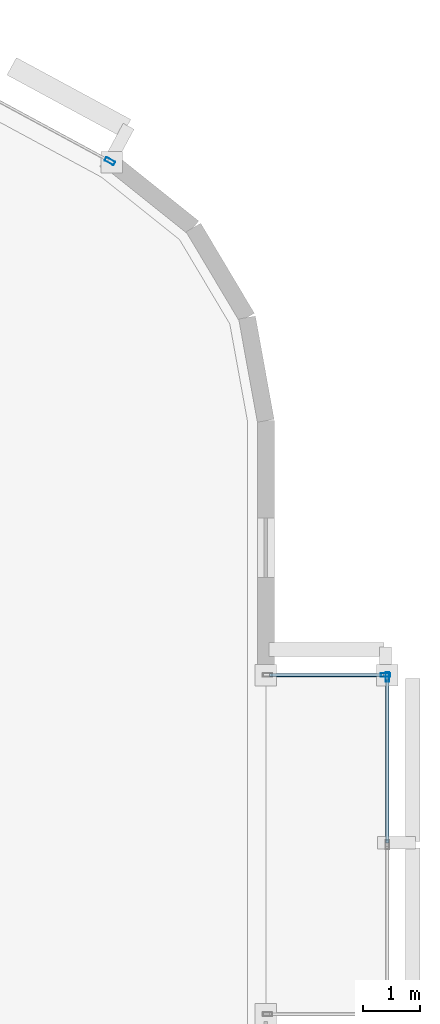
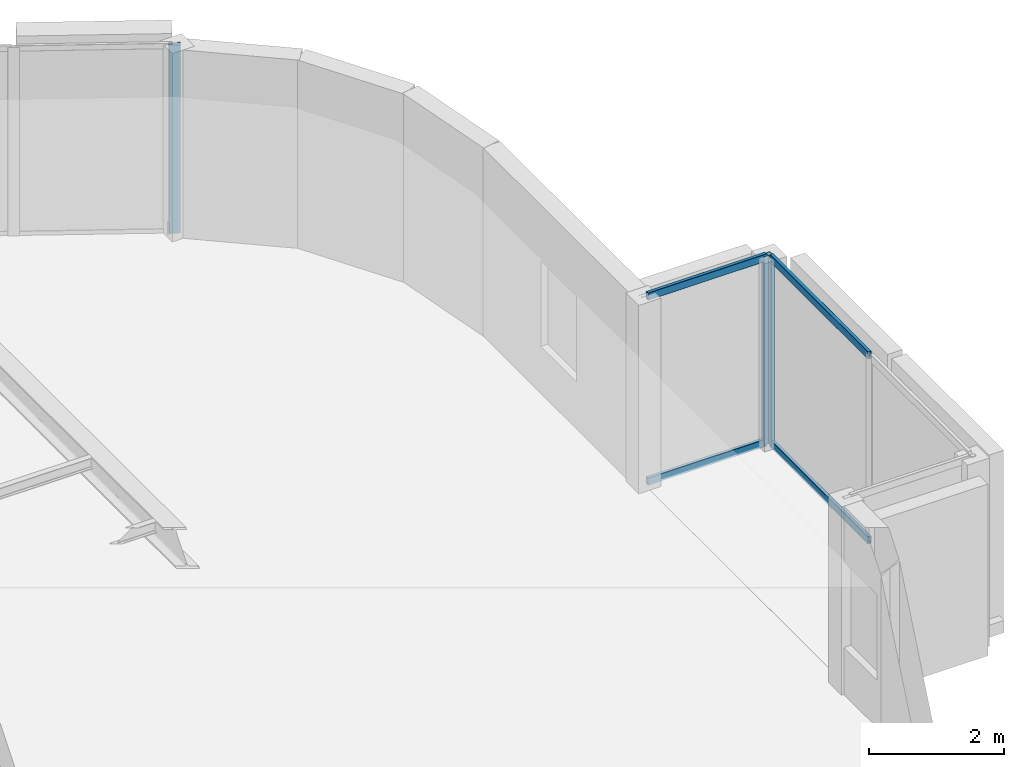
# One storey, part 7 of 14: 7 members, 3 elements without a shape of their own.
"""IFC4 building model written with IfcOpenShell, lengths in metres."""

import ifcopenshell
import ifcopenshell.guid

model = None  # the IFC model being written
_history = None  # IfcOwnerHistory: only IFC2X3 demands one
_inside = {}  # id of a spatial element -> (the spatial element, [elements in it])
_under = {}  # id of a project, library or spatial element -> (it, [spatial elements below it])
_declared = {}  # id of a project -> (the project, [libraries it declares])
_typed = {}  # id of a type object -> (the type object, [elements of that type])
_made_of = {}  # id of a material, layer set ... -> (it, [elements and type objects made of it])


def new_model(schema):
    """Start an empty IFC model of exactly this schema.

    Asked for "IFC4X3", IfcOpenShell would pick the latest addendum, in which some entities
    have other attributes; the version numbers below select the first issue.
    IFC2X3 requires an IfcOwnerHistory on every rooted entity: one is made here for all.
    """
    global model, _history
    if schema == "IFC4X3":
        model = ifcopenshell.file(schema_version=(4, 3, 0, 0))
    else:
        model = ifcopenshell.file(schema=schema)
    _inside.clear()
    _under.clear()
    _declared.clear()
    _typed.clear()
    _made_of.clear()
    _history = None
    if model.schema == "IFC2X3":
        org = make("IfcOrganization", Name="unknown")
        user = make(
            "IfcPersonAndOrganization",
            ThePerson=make("IfcPerson", FamilyName="unknown"),
            TheOrganization=org,
        )
        app = make(
            "IfcApplication",
            ApplicationDeveloper=org,
            Version="unknown",
            ApplicationFullName="unknown",
            ApplicationIdentifier="unknown",
        )
        _history = make(
            "IfcOwnerHistory",
            OwningUser=user,
            OwningApplication=app,
            ChangeAction="ADDED",
            CreationDate=0,
        )
    return model


def make(cls, **values):
    """One entity of the class cls with the attributes given. An attribute that is None is left unset."""
    return model.create_entity(
        cls, **{name: value for name, value in values.items() if value is not None}
    )


def rooted(cls, **values):
    """An entity with a GlobalId (a new one), such as an element, a storey or a relation."""
    return make(cls, GlobalId=ifcopenshell.guid.new(), OwnerHistory=_history, **values)


def si_unit(unit_type, name, prefix=None):
    """IfcSIUnit, for example si_unit("LENGTHUNIT", "METRE", prefix="MILLI")."""
    return make("IfcSIUnit", UnitType=unit_type, Prefix=prefix, Name=name)


def assignment(units):
    """IfcUnitAssignment: the units of a project."""
    return None if units is None else make("IfcUnitAssignment", Units=units)


def point(xyz):
    """IfcCartesianPoint."""
    return None if xyz is None else make("IfcCartesianPoint", Coordinates=xyz)


def direction(xyz):
    """IfcDirection."""
    return None if xyz is None else make("IfcDirection", DirectionRatios=xyz)


def frame(location, z_axis=None, x_axis=None):
    """IfcAxis2Placement3D, a coordinate frame: its origin and axes. An axis left out is left unset."""
    return make(
        "IfcAxis2Placement3D",
        Location=point(location),
        Axis=direction(z_axis),
        RefDirection=direction(x_axis),
    )


def frame_2d(location, x_axis=None):
    """IfcAxis2Placement2D, a coordinate frame in the plane: its origin and x axis."""
    return make(
        "IfcAxis2Placement2D", Location=point(location), RefDirection=direction(x_axis)
    )


def origin():
    """The frame at (0, 0, 0) with its axes left unset."""
    return frame((0.0, 0.0, 0.0))


def origin_2d():
    """The frame at (0, 0) in the plane with its x axis left unset."""
    return frame_2d((0.0, 0.0))


def place(relative_to, where):
    """IfcLocalPlacement: puts the frame where relative to a parent placement (None: the world)."""
    return make(
        "IfcLocalPlacement", PlacementRelTo=relative_to, RelativePlacement=where
    )


def context(
    kind, dimensions, precision=None, world=None, true_north=None, identifier=None
):
    """IfcGeometricRepresentationContext, for example the 3D "Model" context."""
    return make(
        "IfcGeometricRepresentationContext",
        ContextIdentifier=identifier,
        ContextType=kind,
        CoordinateSpaceDimension=dimensions,
        Precision=precision,
        WorldCoordinateSystem=world,
        TrueNorth=true_north,
    )


def subcontext(parent, identifier, kind, view, scale=None):
    """IfcGeometricRepresentationSubContext, for example "Body" below "Model"."""
    return make(
        "IfcGeometricRepresentationSubContext",
        ContextIdentifier=identifier,
        ContextType=kind,
        ParentContext=parent,
        TargetScale=scale,
        TargetView=view,
    )


def project(units=None, contexts=None):
    """IfcProject with its units and contexts."""
    return rooted(
        "IfcProject",
        Name="project",
        RepresentationContexts=contexts,
        UnitsInContext=assignment(units),
    )


def spatial(cls, under=None, at=None, **own):
    """A site, building, storey or space (cls), placed at a placement, below another one or the project."""
    s = rooted(cls, ObjectPlacement=at, **own)
    if under is not None:
        _under.setdefault(under.id(), (under, []))[1].append(s)
    return s


def profile(cls, at=None, kind="AREA", **sizes):
    """A parametric profile (cls). Its sizes go by their IFC names, for example OverallWidth=200.0."""
    return make(cls, ProfileType=kind, Position=at, **sizes)


def hollow_rectangle(**sizes):
    """IfcRectangleHollowProfileDef."""
    return profile("IfcRectangleHollowProfileDef", **sizes)


def extrude(swept, where, along, depth):
    """IfcExtrudedAreaSolid: the profile swept, set in the frame where, extruded along a direction by depth."""
    return make(
        "IfcExtrudedAreaSolid",
        SweptArea=swept,
        Position=where,
        ExtrudedDirection=direction(along),
        Depth=depth,
    )


def shape(context_of_items, identifier, shape_type, items):
    """IfcShapeRepresentation: the items that make up one representation, for example the "Body"."""
    return make(
        "IfcShapeRepresentation",
        ContextOfItems=context_of_items,
        RepresentationIdentifier=identifier,
        RepresentationType=shape_type,
        Items=items,
    )


def material(Name=None, Category=None):
    """IfcMaterial."""
    return make("IfcMaterial", Name=Name, Category=Category)


def layer(
    of_material, thickness, ventilated=None, Name=None, Category=None, Priority=None
):
    """IfcMaterialLayer: one layer of a wall or slab, of a material (None: an air gap)."""
    return make(
        "IfcMaterialLayer",
        Material=of_material,
        LayerThickness=thickness,
        IsVentilated=ventilated,
        Name=Name,
        Category=Category,
        Priority=Priority,
    )


def layer_set(layers, Name=None):
    """IfcMaterialLayerSet."""
    return make("IfcMaterialLayerSet", MaterialLayers=layers, LayerSetName=Name)


def material_profile(
    of_material, cross_section, Name=None, Category=None, Priority=None
):
    """IfcMaterialProfile: a cross section and its material."""
    return make(
        "IfcMaterialProfile",
        Name=Name,
        Material=of_material,
        Profile=cross_section,
        Priority=Priority,
        Category=Category,
    )


def profile_set(profiles, Name=None, composite=None):
    """IfcMaterialProfileSet."""
    return make(
        "IfcMaterialProfileSet",
        Name=Name,
        MaterialProfiles=profiles,
        CompositeProfile=composite,
    )


def made_of(thing, what):
    """Note that an element or type object is made of a material, layer set ...; save() writes the relation."""
    if what is not None:
        _made_of.setdefault(what.id(), (what, []))[1].append(thing)
    return thing


def type_object(cls, material=None, **own):
    """A type object (cls), such as IfcWallType, which elements share."""
    return made_of(rooted(cls, **own), material)


def element(
    cls,
    number,
    at=None,
    inside=None,
    cuts=None,
    type_object=None,
    material=None,
    context=None,
    identifier="Body",
    shape_type=None,
    held_by="IfcProductDefinitionShape",
    body=None,
    shapes=None,
    **own,
):
    """One element of the class cls, such as IfcWall. Its Tag is "e" and its number.

    at: its placement. inside: the storey or other place that contains it. cuts: it is an
    opening in that element (IfcRelVoidsElement). A single representation is given by context,
    identifier, shape_type and body (its items); several are given by shapes. held_by: the class
    of the entity that holds the representations. save() writes the other relations.
    """
    e = rooted(cls, Tag="e%d" % number, ObjectPlacement=at, **own)
    if body is not None:
        shapes = [shape(context, identifier, shape_type, body)]
    if shapes is not None:
        e.Representation = make(held_by, Representations=shapes)
    if inside is not None:
        _inside.setdefault(inside.id(), (inside, []))[1].append(e)
    if cuts is not None:
        rooted(
            "IfcRelVoidsElement", RelatingBuildingElement=cuts, RelatedOpeningElement=e
        )
    if type_object is not None:
        _typed.setdefault(type_object.id(), (type_object, []))[1].append(e)
    return made_of(e, material)


def aggregate(whole, parts):
    """IfcRelAggregates: a whole, such as a stair, and the parts it consists of."""
    return rooted("IfcRelAggregates", RelatingObject=whole, RelatedObjects=parts)


def save(model, path):
    """Write the relations noted so far, then the file.

    IfcRelAggregates (storeys below a building ...), IfcRelContainedInSpatialStructure (elements
    in a storey), IfcRelDefinesByType, IfcRelAssociatesMaterial and IfcRelDeclares: one each for
    every whole, place, type object, material and project.
    """
    for whole, parts in _under.values():
        aggregate(whole, parts)
    for where, things in _inside.values():
        rooted(
            "IfcRelContainedInSpatialStructure",
            RelatedElements=things,
            RelatingStructure=where,
        )
    for kind, things in _typed.values():
        rooted("IfcRelDefinesByType", RelatedObjects=things, RelatingType=kind)
    for what, things in _made_of.values():
        rooted("IfcRelAssociatesMaterial", RelatedObjects=things, RelatingMaterial=what)
    for by, libraries in _declared.values():
        rooted("IfcRelDeclares", RelatingContext=by, RelatedDefinitions=libraries)
    model.write(path)


model = new_model("IFC4")

# Units and contexts
model_context = context("Model", 3, precision=1e-05, world=origin(), true_north=direction((0.0, 1.0)))
body_context = subcontext(model_context, "Body", "Model", "MODEL_VIEW")
ifc_project = project(units=[si_unit("LENGTHUNIT", "METRE"), si_unit("AREAUNIT", "SQUARE_METRE"), si_unit("VOLUMEUNIT", "CUBIC_METRE"), si_unit("PLANEANGLEUNIT", "RADIAN"), si_unit("MASSUNIT", "GRAM", prefix="KILO")], contexts=[model_context])

# Site, building, storey
site_placement = place(None, origin())
site = spatial("IfcSite", under=ifc_project, at=site_placement, CompositionType="ELEMENT")
building_placement = place(site_placement, origin())
building = spatial("IfcBuilding", under=site, at=building_placement, Name="An Khanh Terracotta Commons", CompositionType="ELEMENT")
storey_placement = place(building_placement, frame((0.0, 0.0, 240.89990234375)))
storey = spatial("IfcBuildingStorey", under=building, at=storey_placement, Name="L63", CompositionType="ELEMENT", Elevation=240.89990234375)

# Curtain wall, member
ifc_material = material(Name="Anodised Aluminium 6063-T6", Category="aluminium")
ifc_layer_1 = layer(ifc_material, 0.239990234375, Name="Anodised Aluminium 6063-T6")
ifc_layer_set_1 = layer_set([ifc_layer_1], Name="Anodised Aluminium 6063-T6")
curtain_wall_type_1 = type_object("IfcCurtainWallType", Name="CW-SYS-04", PredefinedType="USERDEFINED", material=ifc_layer_set_1)
curtain_wall_1_placement = place(storey_placement, origin())
curtain_wall_1 = element("IfcCurtainWall", 1, at=curtain_wall_1_placement, inside=storey, type_object=curtain_wall_type_1, Name="L63 CW-04 Unitised Curtain Wall CW-L63-EBOX-1", ObjectType="UNITISED CURTAIN WALL", PredefinedType="USERDEFINED")
ifc_material_profile_1 = material_profile(ifc_material, hollow_rectangle(XDim=0.06494140625, YDim=0.1650390625, WallThickness=0.00390625, InnerFilletRadius=0.00390625, OuterFilletRadius=0.008056640625, at=origin_2d()), Name="RHS165x65x4")
ifc_profile_set_1 = profile_set([ifc_material_profile_1], Name="Anodised Aluminium 6063-T6")
member_type_1 = type_object("IfcMemberType", Name="CWM-RHS165x65x4", PredefinedType="MULLION", material=ifc_profile_set_1)
member_1_placement = place(storey_placement, frame((70.75, 25.367431640625, 0.0), z_axis=(0.0, 0.0, 1.0), x_axis=(-1.0, 0.0, 0.0)))
member_1 = element("IfcMember", 2, at=member_1_placement, type_object=member_type_1, Name="CW-04 mullion 3", PredefinedType="MULLION", context=body_context, shape_type="SweptSolid", body=[
    extrude(hollow_rectangle(XDim=0.06494140625, YDim=0.1650390625, WallThickness=0.00390625, InnerFilletRadius=0.00390625, OuterFilletRadius=0.008056640625, at=origin_2d()), origin(), (0.0, 0.0, 1.0), 3.400146484375),
])

curtain_wall_2_placement = place(storey_placement, origin())
curtain_wall_2 = element("IfcCurtainWall", 3, at=curtain_wall_2_placement, inside=storey, type_object=curtain_wall_type_1, Name="L63 CW-04 Unitised Curtain Wall CW-L63-EBOX-3", ObjectType="UNITISED CURTAIN WALL", PredefinedType="USERDEFINED")
member_2_placement = place(storey_placement, frame((70.717529296875, 25.39990234375, 0.0), z_axis=(0.0, 0.0, 1.0), x_axis=(0.0, -1.0, 0.0)))
member_2 = element("IfcMember", 4, at=member_2_placement, type_object=member_type_1, Name="CW-04 mullion 1", PredefinedType="MULLION", context=body_context, shape_type="SweptSolid", body=[
    extrude(hollow_rectangle(XDim=0.06494140625, YDim=0.1650390625, WallThickness=0.00390625, InnerFilletRadius=0.00390625, OuterFilletRadius=0.008056640625, at=origin_2d()), origin(), (0.0, 0.0, 1.0), 3.400146484375),
])

ifc_layer_2 = layer(ifc_material, 0.2099609375, Name="Anodised Aluminium 6063-T6")
ifc_layer_set_2 = layer_set([ifc_layer_2], Name="Anodised Aluminium 6063-T6")
curtain_wall_type_2 = type_object("IfcCurtainWallType", Name="CW-SYS-03", PredefinedType="USERDEFINED", material=ifc_layer_set_2)
curtain_wall_3_placement = place(storey_placement, origin())
curtain_wall_3 = element("IfcCurtainWall", 5, at=curtain_wall_3_placement, inside=storey, type_object=curtain_wall_type_2, Name="L63 CW-03 Unitised Curtain Wall CW-L63-16", ObjectType="UNITISED CURTAIN WALL", PredefinedType="USERDEFINED")
ifc_material_profile_2 = material_profile(ifc_material, hollow_rectangle(XDim=0.070068359375, YDim=0.179931640625, WallThickness=0.00390625, InnerFilletRadius=0.00390625, OuterFilletRadius=0.008056640625, at=origin_2d()), Name="RHS180x70x4")
ifc_profile_set_2 = profile_set([ifc_material_profile_2], Name="Anodised Aluminium 6063-T6")
member_type_2 = type_object("IfcMemberType", Name="CWM-RHS180x70x4", PredefinedType="MULLION", material=ifc_profile_set_2)
member_3_placement = place(storey_placement, frame((65.84130859375, 34.49072265625, 0.0), z_axis=(0.0, 0.0, 1.0), x_axis=(-0.47538088298, -0.879780095306, 0.0)))
member_3 = element("IfcMember", 6, at=member_3_placement, type_object=member_type_2, Name="CW-03 mullion 1", PredefinedType="MULLION", context=body_context, shape_type="SweptSolid", body=[
    extrude(hollow_rectangle(XDim=0.070068359375, YDim=0.179931640625, WallThickness=0.00390625, InnerFilletRadius=0.00390625, OuterFilletRadius=0.008056640625, at=origin_2d()), origin(), (0.0, 0.0, 1.0), 3.400146484375),
])
aggregate(curtain_wall_3, [member_3])

# Member
ifc_material_profile_3 = material_profile(ifc_material, hollow_rectangle(XDim=0.06005859375, YDim=0.135009765625, WallThickness=0.003662109375, InnerFilletRadius=0.003662109375, OuterFilletRadius=0.007080078125, at=origin_2d()), Name="RHS135x60x3.6")
ifc_profile_set_3 = profile_set([ifc_material_profile_3], Name="Anodised Aluminium 6063-T6")
member_type_3 = type_object("IfcMemberType", Name="CWT-RHS135x60x3.6", PredefinedType="USERDEFINED", material=ifc_profile_set_3)
member_4_placement = place(storey_placement, frame((70.75, 22.4326171875, 0.030029296875), z_axis=(0.0, 1.0, 0.0), x_axis=(-1.0, 0.0, 0.0)))
member_4 = element("IfcMember", 7, at=member_4_placement, type_object=member_type_3, Name="CW-04 transom 2.1", ObjectType="TRANSOM", PredefinedType="USERDEFINED", context=body_context, shape_type="SweptSolid", body=[
    extrude(hollow_rectangle(XDim=0.06005859375, YDim=0.135009765625, WallThickness=0.003662109375, InnerFilletRadius=0.003662109375, OuterFilletRadius=0.007080078125, at=origin_2d()), origin(), (0.0, 0.0, 1.0), 2.90234375),
])

member_5_placement = place(storey_placement, frame((70.75, 22.4326171875, 3.3701171875), z_axis=(0.0, 1.0, 0.0), x_axis=(-1.0, 0.0, 0.0)))
member_5 = element("IfcMember", 8, at=member_5_placement, type_object=member_type_3, Name="CW-04 transom 2.2", ObjectType="TRANSOM", PredefinedType="USERDEFINED", context=body_context, shape_type="SweptSolid", body=[
    extrude(hollow_rectangle(XDim=0.06005859375, YDim=0.135009765625, WallThickness=0.003662109375, InnerFilletRadius=0.003662109375, OuterFilletRadius=0.007080078125, at=origin_2d()), origin(), (0.0, 0.0, 1.0), 2.90234375),
])

aggregate(curtain_wall_1, [member_1, member_4, member_5])

member_6_placement = place(storey_placement, frame((70.68505859375, 25.39990234375, 0.030029296875), z_axis=(-1.0, 0.0, 0.0), x_axis=(0.0, -1.0, 0.0)))
member_6 = element("IfcMember", 9, at=member_6_placement, type_object=member_type_3, Name="CW-04 transom 1.1", ObjectType="TRANSOM", PredefinedType="USERDEFINED", context=body_context, shape_type="SweptSolid", body=[
    extrude(hollow_rectangle(XDim=0.06005859375, YDim=0.135009765625, WallThickness=0.003662109375, InnerFilletRadius=0.003662109375, OuterFilletRadius=0.007080078125, at=origin_2d()), origin(), (0.0, 0.0, 1.0), 2.02001953125),
])

member_7_placement = place(storey_placement, frame((70.68505859375, 25.39990234375, 3.3701171875), z_axis=(-1.0, 0.0, 0.0), x_axis=(0.0, -1.0, 0.0)))
member_7 = element("IfcMember", 10, at=member_7_placement, type_object=member_type_3, Name="CW-04 transom 1.2", ObjectType="TRANSOM", PredefinedType="USERDEFINED", context=body_context, shape_type="SweptSolid", body=[
    extrude(hollow_rectangle(XDim=0.06005859375, YDim=0.135009765625, WallThickness=0.003662109375, InnerFilletRadius=0.003662109375, OuterFilletRadius=0.007080078125, at=origin_2d()), origin(), (0.0, 0.0, 1.0), 2.02001953125),
])

aggregate(curtain_wall_2, [member_2, member_6, member_7])

save(model, "model.ifc")
